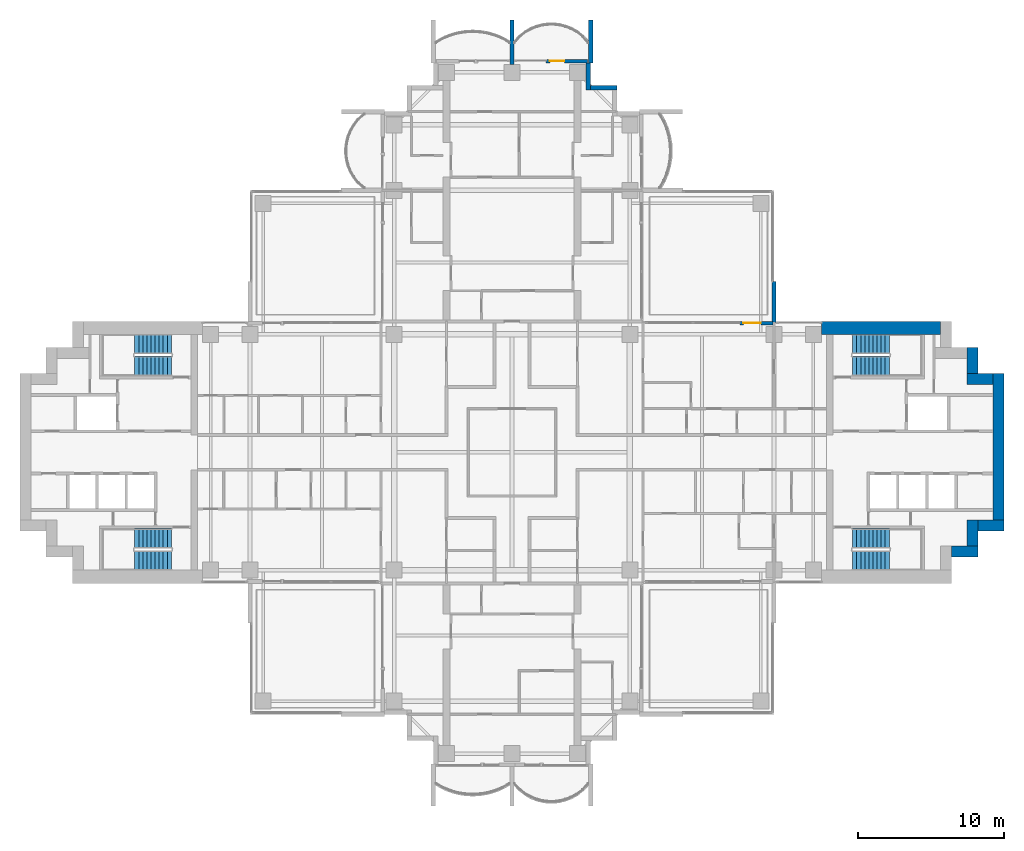
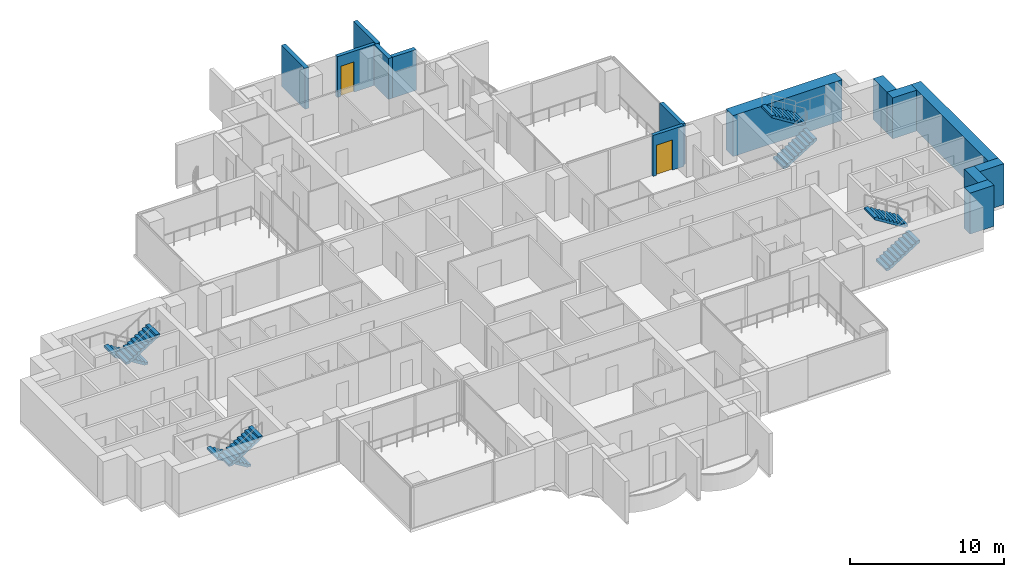
# One storey, part 15 of 19: 14 walls, 8 stair flights, 2 doors, 2 openings, 4 elements without a shape of their own.
"""IFC4 building model written with IfcOpenShell, lengths in metres."""

from ifc_helpers import new_model, si_unit, direction, frame, frame_2d, origin, place, context, subcontext, project, spatial, polyline, rectangle, outline, extrude, material, layer, layer_set, type_object, element, fill, aggregate, save


model = new_model("IFC4")

# Units and contexts
model_context = context("Model", 3, precision=1e-05, world=origin(), true_north=direction((0.0, 1.0)))
body_context = subcontext(model_context, "Body", "Model", "MODEL_VIEW")
ifc_project = project(units=[si_unit("LENGTHUNIT", "METRE"), si_unit("AREAUNIT", "SQUARE_METRE"), si_unit("VOLUMEUNIT", "CUBIC_METRE"), si_unit("PLANEANGLEUNIT", "RADIAN"), si_unit("MASSUNIT", "GRAM", prefix="KILO")], contexts=[model_context])

# Site, building, storey
site_placement = place(None, origin())
site = spatial("IfcSite", under=ifc_project, at=site_placement, CompositionType="ELEMENT")
building_placement = place(site_placement, origin())
building = spatial("IfcBuilding", under=site, at=building_placement, Name="Perihelion Cross Residences", CompositionType="ELEMENT")
storey_placement = place(building_placement, frame((0.0, 0.0, 144.39990234375)))
storey = spatial("IfcBuildingStorey", under=building, at=storey_placement, Name="L35", CompositionType="ELEMENT", Elevation=144.39990234375)

# Wall, opening, door
ifc_material_1 = material(Name="Concrete C30/37, bronze-clad", Category="concrete")
ifc_layer_1 = layer(ifc_material_1, 0.25)
ifc_layer_set_1 = layer_set([ifc_layer_1], Name="Bronze-clad pier wall 250")
wall_type_1 = type_object("IfcWallType", Name="Bronze-clad pier wall 250", PredefinedType="SOLIDWALL", material=ifc_layer_set_1)
wall_1_placement = place(storey_placement, frame((17.93994140625, 8.875, 0.0), z_axis=(0.0, 0.0, 1.0), x_axis=(-1.0, 0.0, 0.0)))
wall_1 = element("IfcWall", 1, at=wall_1_placement, inside=storey, type_object=wall_type_1, Name="Wall FW1 L35 east side north bay 2 pier", PredefinedType="SOLIDWALL", context=body_context, shape_type="SweptSolid", body=[
    extrude(rectangle(XDim=2.2900390625, YDim=0.25, at=frame_2d((1.14501953125, 0.0))), origin(), (0.0, 0.0, 1.0), 3.25),
])
opening_1_placement = place(wall_1_placement, frame((0.840087890625, 0.0, 0.0)))
opening_1 = element("IfcOpeningElement", 2, at=opening_1_placement, cuts=wall_1, Name="Opening L35.E01", PredefinedType="OPENING", context=body_context, shape_type="SweptSolid", body=[
    extrude(rectangle(XDim=1.199951171875, YDim=2.39990234375, at=frame_2d((0.60009765625, 1.199951171875))), frame((0.0, 0.135009765625, 0.0), z_axis=(0.0, -1.0, 0.0), x_axis=(1.0, 0.0, 0.0)), (0.0, 0.0, 1.0), 0.27001953125),
])
ifc_material_2 = material(Name="Bronze anodised aluminium, glazed", Category="aluminium")
door_type_1 = type_object("IfcDoorType", Name="Balcony door 1200 x 2400", OperationType="NOTDEFINED", PredefinedType="DOOR", material=ifc_material_2)
door_1_placement = place(opening_1_placement, origin())
door_1 = element("IfcDoor", 3, at=door_1_placement, inside=storey, type_object=door_type_1, Name="Door L35.E01 east side north bay 2", OperationType="SINGLE_SWING_RIGHT", OverallHeight=2.39990234375, OverallWidth=1.199951171875, PredefinedType="DOOR", context=body_context, shape_type="SweptSolid", body=[
    extrude(rectangle(XDim=1.199951171875, YDim=2.39990234375, at=frame_2d((0.60009765625, 1.199951171875))), frame((0.0, 0.02490234375, 0.0), z_axis=(0.0, -1.0, 0.0), x_axis=(1.0, 0.0, 0.0)), (0.0, 0.0, 1.0), 0.050048828125),
])
fill(opening_1, door_1)

wall_2_placement = place(storey_placement, frame((5.199951171875, 26.875, 0.0), z_axis=(0.0, 0.0, 1.0), x_axis=(-1.0, 0.0, 0.0)))
wall_2 = element("IfcWall", 4, at=wall_2_placement, inside=storey, type_object=wall_type_1, Name="Wall FW1 L35 north tip north bay 1 pier", PredefinedType="SOLIDWALL", context=body_context, shape_type="SweptSolid", body=[
    extrude(rectangle(XDim=2.849853515625, YDim=0.25, at=frame_2d((1.4248046875, 0.0))), origin(), (0.0, 0.0, 1.0), 3.25),
])
opening_2_placement = place(wall_2_placement, frame((1.60009765625, 0.0, 0.0)))
opening_2 = element("IfcOpeningElement", 5, at=opening_2_placement, cuts=wall_2, Name="Opening L35.E04", PredefinedType="OPENING", context=body_context, shape_type="SweptSolid", body=[
    extrude(rectangle(XDim=1.0, YDim=2.39990234375, at=frame_2d((0.5, 1.199951171875))), frame((0.0, 0.135009765625, 0.0), z_axis=(0.0, -1.0, 0.0), x_axis=(1.0, 0.0, 0.0)), (0.0, 0.0, 1.0), 0.27001953125),
])
ifc_material_3 = material(Name="Bronze anodised aluminium, glazed", Category="aluminium")
door_type_2 = type_object("IfcDoorType", Name="Balcony door 1000 x 2400", OperationType="NOTDEFINED", PredefinedType="DOOR", material=ifc_material_3)
door_2_placement = place(opening_2_placement, origin())
door_2 = element("IfcDoor", 6, at=door_2_placement, inside=storey, type_object=door_type_2, Name="Door L35.E04 north tip north bay 1", OperationType="SINGLE_SWING_LEFT", OverallHeight=2.39990234375, OverallWidth=1.0, PredefinedType="DOOR", context=body_context, shape_type="SweptSolid", body=[
    extrude(rectangle(XDim=1.0, YDim=2.39990234375, at=frame_2d((0.5, 1.199951171875))), frame((0.0, 0.02490234375, 0.0), z_axis=(0.0, -1.0, 0.0), x_axis=(1.0, 0.0, 0.0)), (0.0, 0.0, 1.0), 0.050048828125),
])
fill(opening_2, door_2)

# Walls
ifc_material_4 = material(Name="Concrete C30/37, bronze-clad", Category="concrete")
ifc_layer_2 = layer(ifc_material_4, 0.300048828125)
ifc_layer_set_2 = layer_set([ifc_layer_2], Name="Bronze-clad serration wall 300")
wall_type_2 = type_object("IfcWallType", Name="Bronze-clad serration wall 300", PredefinedType="SOLIDWALL", material=ifc_layer_set_2)
wall_3_placement = place(storey_placement, frame((7.199951171875, 25.050048828125, 0.0), z_axis=(0.0, 0.0, 1.0), x_axis=(-1.0, 0.0, 0.0)))
element("IfcWall", 7, at=wall_3_placement, inside=storey, type_object=wall_type_2, Name="Wall SR1 L35 north corner north-east 3", PredefinedType="SOLIDWALL", context=body_context, shape_type="SweptSolid", body=[
    extrude(rectangle(XDim=1.800048828125, YDim=0.300048828125, at=frame_2d((0.89990234375, 0.0))), origin(), (0.0, 0.0, 1.0), 3.25),
])
wall_4_placement = place(storey_placement, frame((5.25, 24.89990234375, 0.0), z_axis=(0.0, 0.0, 1.0), x_axis=(0.0, 1.0, 0.0)))
element("IfcWall", 8, at=wall_4_placement, inside=storey, type_object=wall_type_2, Name="Wall SR1 L35 north corner north-east 4", PredefinedType="SOLIDWALL", context=body_context, shape_type="SweptSolid", body=[
    extrude(rectangle(XDim=1.85009765625, YDim=0.300048828125, at=frame_2d((0.925048828125, 0.0))), origin(), (0.0, 0.0, 1.0), 3.25),
])
ifc_material_5 = material(Name="Concrete C60/75", Category="concrete")
ifc_layer_3 = layer(ifc_material_5, 0.75)
ifc_layer_set_3 = layer_set([ifc_layer_3], Name="Core wall, outer 750")
wall_type_3 = type_object("IfcWallType", Name="Core wall, outer 750", PredefinedType="SHEAR", material=ifc_layer_set_3)
for number, where, z_axis, x_axis, name in (
    (9, (30.199951171875, -6.824951171875, 0.0), (0.0, 0.0, 1.0), (1.0, 0.0, 0.0), "East core core wall, outer"),
    (10, (31.625, -6.449951171875, 0.0), (0.0, 0.0, 1.0), (0.0, 1.0, 0.0), "East core core wall, outer"),
    (11, (32.0, -5.02490234375, 0.0), (0.0, 0.0, 1.0), (1.0, 0.0, 0.0), "East core core wall, outer"),
):
    element("IfcWall", number, at=place(storey_placement, frame(where, z_axis=z_axis, x_axis=x_axis)), inside=storey, type_object=wall_type_3, Name=name, PredefinedType="SHEAR", context=body_context, shape_type="SweptSolid", body=[
        extrude(rectangle(XDim=1.800048828125, YDim=0.75, at=frame_2d((0.89990234375, 0.0))), origin(), (0.0, 0.0, 1.0), 3.25),
    ])
wall_5_placement = place(storey_placement, frame((33.425048828125, -4.64990234375, 0.0), z_axis=(0.0, 0.0, 1.0), x_axis=(0.0, 1.0, 0.0)))
element("IfcWall", 12, at=wall_5_placement, inside=storey, type_object=wall_type_3, Name="East core core wall, outer", PredefinedType="SHEAR", context=body_context, shape_type="SweptSolid", body=[
    extrude(rectangle(XDim=10.0498046875, YDim=0.75, at=frame_2d((5.02490234375, 0.0))), origin(), (0.0, 0.0, 1.0), 3.25),
])
for number, where, z_axis, x_axis, name in (
    (13, (31.25, 5.02490234375, 0.0), (0.0, 0.0, 1.0), (1.0, 0.0, 0.0), "East core core wall, outer"),
    (14, (31.625, 5.39990234375, 0.0), (0.0, 0.0, 1.0), (0.0, 1.0, 0.0), "East core core wall, outer"),
):
    element("IfcWall", number, at=place(storey_placement, frame(where, z_axis=z_axis, x_axis=x_axis)), inside=storey, type_object=wall_type_3, Name=name, PredefinedType="SHEAR", context=body_context, shape_type="SweptSolid", body=[
        extrude(rectangle(XDim=1.800048828125, YDim=0.75, at=frame_2d((0.89990234375, 0.0))), origin(), (0.0, 0.0, 1.0), 3.25),
    ])
ifc_material_6 = material(Name="Concrete C60/75", Category="concrete")
ifc_layer_4 = layer(ifc_material_6, 0.89990234375)
ifc_layer_set_4 = layer_set([ifc_layer_4], Name="Core wall, outer 900")
wall_type_4 = type_object("IfcWallType", Name="Core wall, outer 900", PredefinedType="SHEAR", material=ifc_layer_set_4)
wall_6_placement = place(storey_placement, frame((21.25, 8.550048828125, 0.0), z_axis=(0.0, 0.0, 1.0), x_axis=(1.0, 0.0, 0.0)))
element("IfcWall", 15, at=wall_6_placement, inside=storey, type_object=wall_type_4, Name="East core core wall, outer", PredefinedType="SHEAR", context=body_context, shape_type="SweptSolid", body=[
    extrude(rectangle(XDim=8.199951171875, YDim=0.89990234375, at=frame_2d((4.10009765625, 0.0))), origin(), (0.0, 0.0, 1.0), 3.25),
])
ifc_material_7 = material(Name="Precast concrete C50/60", Category="concrete")
ifc_layer_5 = layer(ifc_material_7, 0.300048828125)
ifc_layer_set_5 = layer_set([ifc_layer_5], Name="Precast concrete C50/60 blade wall 300")
wall_type_5 = type_object("IfcWallType", Name="Precast concrete C50/60 blade wall 300", PredefinedType="SOLIDWALL", material=ifc_layer_set_5)
wall_7_placement = place(storey_placement, frame((0.0, 26.64990234375, 0.0), z_axis=(0.0, 0.0, 1.0), x_axis=(0.0, 1.0, 0.0)))
element("IfcWall", 16, at=wall_7_placement, inside=storey, type_object=wall_type_5, Name="Wall BL1 L35 no. 9", PredefinedType="SOLIDWALL", context=body_context, shape_type="SweptSolid", body=[
    extrude(rectangle(XDim=3.050048828125, YDim=0.300048828125, at=frame_2d((1.52490234375, 0.0))), origin(), (0.0, 0.0, 1.0), 3.25),
])
wall_8_placement = place(storey_placement, frame((5.39990234375, 26.75, 0.0), z_axis=(0.0, 0.0, 1.0), x_axis=(0.0, 1.0, 0.0)))
element("IfcWall", 17, at=wall_8_placement, inside=storey, type_object=wall_type_5, Name="Wall BL1 L35 no. 13", PredefinedType="SOLIDWALL", context=body_context, shape_type="SweptSolid", body=[
    extrude(rectangle(XDim=2.949951171875, YDim=0.300048828125, at=frame_2d((1.47509765625, 0.0))), origin(), (0.0, 0.0, 1.0), 3.25),
])
wall_9_placement = place(storey_placement, frame((18.0, 8.919921875, 0.0), z_axis=(0.0, 0.0, 1.0), x_axis=(0.0, 1.0, 0.0)))
element("IfcWall", 18, at=wall_9_placement, inside=storey, type_object=wall_type_5, Name="Wall BL1 L35 no. 11", PredefinedType="SOLIDWALL", context=body_context, shape_type="SweptSolid", body=[
    extrude(rectangle(XDim=2.820068359375, YDim=0.300048828125, at=frame_2d((1.41015625, 0.0))), origin(), (0.0, 0.0, 1.0), 3.25),
])

# Stair, stair flights
ifc_material_8 = material(Name="Concrete C40/50", Category="concrete")
stair_type = type_object("IfcStairType", Name="Exit stair, half-turn", PredefinedType="HALF_TURN_STAIR", material=ifc_material_8)
stair_1_placement = place(storey_placement, origin())
stair_1 = element("IfcStair", 19, at=stair_1_placement, inside=storey, type_object=stair_type, Name="L35 East core exit stair 1", PredefinedType="HALF_TURN_STAIR")
ifc_material_9 = material(Name="Concrete C40/50", Category="concrete")
stair_flight_type = type_object("IfcStairFlightType", Name="Exit stair flight", PredefinedType="STRAIGHT", material=ifc_material_9)
stair_flight_1_placement = place(storey_placement, frame((23.39990234375, 5.925048828125, 0.0), z_axis=(0.0, 0.0, 1.0), x_axis=(1.0, 0.0, 0.0)))
stair_flight_1 = element("IfcStairFlight", 20, at=stair_flight_1_placement, type_object=stair_flight_type, Name="ST-E1 flight 1", NumberOfRisers=10, NumberOfTreads=9, PredefinedType="STRAIGHT", RiserHeight=0.175, TreadLength=0.28, context=body_context, shape_type="SweptSolid", body=[
    extrude(outline(polyline([(0.0, 0.0), (0.0, 0.175048828125), (0.280029296875, 0.175048828125), (0.280029296875, 0.35009765625), (0.56005859375, 0.35009765625), (0.56005859375, 0.52490234375), (0.840087890625, 0.52490234375), (0.840087890625, 0.699951171875), (1.1201171875, 0.699951171875), (1.1201171875, 0.875), (1.39990234375, 0.875), (1.39990234375, 1.050048828125), (1.679931640625, 1.050048828125), (1.679931640625, 1.22509765625), (1.9599609375, 1.22509765625), (1.9599609375, 1.39990234375), (2.239990234375, 1.39990234375), (2.239990234375, 1.574951171875), (2.52001953125, 1.574951171875), (2.52001953125, 1.75), (2.52001953125, 1.398193359375), (0.28271484375, 0.0), (0.0, 0.0)])), frame((0.0, 0.675048828125, 0.0), z_axis=(0.0, -1.0, 0.0), x_axis=(1.0, 0.0, 0.0)), (0.0, 0.0, 1.0), 1.35009765625),
])
stair_flight_2_placement = place(storey_placement, frame((25.919921875, 7.425048828125, 1.75), z_axis=(0.0, 0.0, 1.0), x_axis=(-1.0, 0.0, 0.0)))
stair_flight_2 = element("IfcStairFlight", 21, at=stair_flight_2_placement, type_object=stair_flight_type, Name="ST-E1 flight 2", NumberOfRisers=10, NumberOfTreads=9, PredefinedType="STRAIGHT", RiserHeight=0.175, TreadLength=0.28, context=body_context, shape_type="SweptSolid", body=[
    extrude(outline(polyline([(0.0, 0.0), (0.0, 0.175048828125), (0.280029296875, 0.175048828125), (0.280029296875, 0.35009765625), (0.56005859375, 0.35009765625), (0.56005859375, 0.52490234375), (0.840087890625, 0.52490234375), (0.840087890625, 0.699951171875), (1.1201171875, 0.699951171875), (1.1201171875, 0.875), (1.39990234375, 0.875), (1.39990234375, 1.050048828125), (1.679931640625, 1.050048828125), (1.679931640625, 1.22509765625), (1.9599609375, 1.22509765625), (1.9599609375, 1.39990234375), (2.239990234375, 1.39990234375), (2.239990234375, 1.574951171875), (2.52001953125, 1.574951171875), (2.52001953125, 1.75), (2.52001953125, 1.398193359375), (0.28271484375, 0.0), (0.0, 0.0)])), frame((0.0, 0.675048828125, 0.0), z_axis=(0.0, -1.0, 0.0), x_axis=(1.0, 0.0, 0.0)), (0.0, 0.0, 1.0), 1.35009765625),
])
aggregate(stair_1, [stair_flight_1, stair_flight_2])

stair_2_placement = place(storey_placement, origin())
stair_2 = element("IfcStair", 22, at=stair_2_placement, inside=storey, type_object=stair_type, Name="L35 East core exit stair 2", PredefinedType="HALF_TURN_STAIR")
stair_flight_3_placement = place(storey_placement, frame((23.39990234375, -7.425048828125, 0.0), z_axis=(0.0, 0.0, 1.0), x_axis=(1.0, 0.0, 0.0)))
stair_flight_3 = element("IfcStairFlight", 23, at=stair_flight_3_placement, type_object=stair_flight_type, Name="ST-E2 flight 1", NumberOfRisers=10, NumberOfTreads=9, PredefinedType="STRAIGHT", RiserHeight=0.175, TreadLength=0.28, context=body_context, shape_type="SweptSolid", body=[
    extrude(outline(polyline([(0.0, 0.0), (0.0, 0.175048828125), (0.280029296875, 0.175048828125), (0.280029296875, 0.35009765625), (0.56005859375, 0.35009765625), (0.56005859375, 0.52490234375), (0.840087890625, 0.52490234375), (0.840087890625, 0.699951171875), (1.1201171875, 0.699951171875), (1.1201171875, 0.875), (1.39990234375, 0.875), (1.39990234375, 1.050048828125), (1.679931640625, 1.050048828125), (1.679931640625, 1.22509765625), (1.9599609375, 1.22509765625), (1.9599609375, 1.39990234375), (2.239990234375, 1.39990234375), (2.239990234375, 1.574951171875), (2.52001953125, 1.574951171875), (2.52001953125, 1.75), (2.52001953125, 1.398193359375), (0.28271484375, 0.0), (0.0, 0.0)])), frame((0.0, 0.675048828125, 0.0), z_axis=(0.0, -1.0, 0.0), x_axis=(1.0, 0.0, 0.0)), (0.0, 0.0, 1.0), 1.35009765625),
])
stair_flight_4_placement = place(storey_placement, frame((25.919921875, -5.925048828125, 1.75), z_axis=(0.0, 0.0, 1.0), x_axis=(-1.0, 0.0, 0.0)))
stair_flight_4 = element("IfcStairFlight", 24, at=stair_flight_4_placement, type_object=stair_flight_type, Name="ST-E2 flight 2", NumberOfRisers=10, NumberOfTreads=9, PredefinedType="STRAIGHT", RiserHeight=0.175, TreadLength=0.28, context=body_context, shape_type="SweptSolid", body=[
    extrude(outline(polyline([(0.0, 0.0), (0.0, 0.175048828125), (0.280029296875, 0.175048828125), (0.280029296875, 0.35009765625), (0.56005859375, 0.35009765625), (0.56005859375, 0.52490234375), (0.840087890625, 0.52490234375), (0.840087890625, 0.699951171875), (1.1201171875, 0.699951171875), (1.1201171875, 0.875), (1.39990234375, 0.875), (1.39990234375, 1.050048828125), (1.679931640625, 1.050048828125), (1.679931640625, 1.22509765625), (1.9599609375, 1.22509765625), (1.9599609375, 1.39990234375), (2.239990234375, 1.39990234375), (2.239990234375, 1.574951171875), (2.52001953125, 1.574951171875), (2.52001953125, 1.75), (2.52001953125, 1.398193359375), (0.28271484375, 0.0), (0.0, 0.0)])), frame((0.0, 0.675048828125, 0.0), z_axis=(0.0, -1.0, 0.0), x_axis=(1.0, 0.0, 0.0)), (0.0, 0.0, 1.0), 1.35009765625),
])
aggregate(stair_2, [stair_flight_3, stair_flight_4])

stair_3_placement = place(storey_placement, origin())
stair_3 = element("IfcStair", 25, at=stair_3_placement, inside=storey, type_object=stair_type, Name="L35 West core exit stair 1", PredefinedType="HALF_TURN_STAIR")
stair_flight_5_placement = place(storey_placement, frame((-23.39990234375, 7.425048828125, 0.0), z_axis=(0.0, 0.0, 1.0), x_axis=(-1.0, 0.0, 0.0)))
stair_flight_5 = element("IfcStairFlight", 26, at=stair_flight_5_placement, type_object=stair_flight_type, Name="ST-W1 flight 1", NumberOfRisers=10, NumberOfTreads=9, PredefinedType="STRAIGHT", RiserHeight=0.175, TreadLength=0.28, context=body_context, shape_type="SweptSolid", body=[
    extrude(outline(polyline([(0.0, 0.0), (0.0, 0.175048828125), (0.280029296875, 0.175048828125), (0.280029296875, 0.35009765625), (0.56005859375, 0.35009765625), (0.56005859375, 0.52490234375), (0.840087890625, 0.52490234375), (0.840087890625, 0.699951171875), (1.1201171875, 0.699951171875), (1.1201171875, 0.875), (1.39990234375, 0.875), (1.39990234375, 1.050048828125), (1.679931640625, 1.050048828125), (1.679931640625, 1.22509765625), (1.9599609375, 1.22509765625), (1.9599609375, 1.39990234375), (2.239990234375, 1.39990234375), (2.239990234375, 1.574951171875), (2.52001953125, 1.574951171875), (2.52001953125, 1.75), (2.52001953125, 1.398193359375), (0.28271484375, 0.0), (0.0, 0.0)])), frame((0.0, 0.675048828125, 0.0), z_axis=(0.0, -1.0, 0.0), x_axis=(1.0, 0.0, 0.0)), (0.0, 0.0, 1.0), 1.35009765625),
])
stair_flight_6_placement = place(storey_placement, frame((-25.919921875, 5.925048828125, 1.75), z_axis=(0.0, 0.0, 1.0), x_axis=(1.0, 0.0, 0.0)))
stair_flight_6 = element("IfcStairFlight", 27, at=stair_flight_6_placement, type_object=stair_flight_type, Name="ST-W1 flight 2", NumberOfRisers=10, NumberOfTreads=9, PredefinedType="STRAIGHT", RiserHeight=0.175, TreadLength=0.28, context=body_context, shape_type="SweptSolid", body=[
    extrude(outline(polyline([(0.0, 0.0), (0.0, 0.175048828125), (0.280029296875, 0.175048828125), (0.280029296875, 0.35009765625), (0.56005859375, 0.35009765625), (0.56005859375, 0.52490234375), (0.840087890625, 0.52490234375), (0.840087890625, 0.699951171875), (1.1201171875, 0.699951171875), (1.1201171875, 0.875), (1.39990234375, 0.875), (1.39990234375, 1.050048828125), (1.679931640625, 1.050048828125), (1.679931640625, 1.22509765625), (1.9599609375, 1.22509765625), (1.9599609375, 1.39990234375), (2.239990234375, 1.39990234375), (2.239990234375, 1.574951171875), (2.52001953125, 1.574951171875), (2.52001953125, 1.75), (2.52001953125, 1.398193359375), (0.28271484375, 0.0), (0.0, 0.0)])), frame((0.0, 0.675048828125, 0.0), z_axis=(0.0, -1.0, 0.0), x_axis=(1.0, 0.0, 0.0)), (0.0, 0.0, 1.0), 1.35009765625),
])
aggregate(stair_3, [stair_flight_5, stair_flight_6])

stair_4_placement = place(storey_placement, origin())
stair_4 = element("IfcStair", 28, at=stair_4_placement, inside=storey, type_object=stair_type, Name="L35 West core exit stair 2", PredefinedType="HALF_TURN_STAIR")
stair_flight_7_placement = place(storey_placement, frame((-23.39990234375, -5.925048828125, 0.0), z_axis=(0.0, 0.0, 1.0), x_axis=(-1.0, 0.0, 0.0)))
stair_flight_7 = element("IfcStairFlight", 29, at=stair_flight_7_placement, type_object=stair_flight_type, Name="ST-W2 flight 1", NumberOfRisers=10, NumberOfTreads=9, PredefinedType="STRAIGHT", RiserHeight=0.175, TreadLength=0.28, context=body_context, shape_type="SweptSolid", body=[
    extrude(outline(polyline([(0.0, 0.0), (0.0, 0.175048828125), (0.280029296875, 0.175048828125), (0.280029296875, 0.35009765625), (0.56005859375, 0.35009765625), (0.56005859375, 0.52490234375), (0.840087890625, 0.52490234375), (0.840087890625, 0.699951171875), (1.1201171875, 0.699951171875), (1.1201171875, 0.875), (1.39990234375, 0.875), (1.39990234375, 1.050048828125), (1.679931640625, 1.050048828125), (1.679931640625, 1.22509765625), (1.9599609375, 1.22509765625), (1.9599609375, 1.39990234375), (2.239990234375, 1.39990234375), (2.239990234375, 1.574951171875), (2.52001953125, 1.574951171875), (2.52001953125, 1.75), (2.52001953125, 1.398193359375), (0.28271484375, 0.0), (0.0, 0.0)])), frame((0.0, 0.675048828125, 0.0), z_axis=(0.0, -1.0, 0.0), x_axis=(1.0, 0.0, 0.0)), (0.0, 0.0, 1.0), 1.35009765625),
])
stair_flight_8_placement = place(storey_placement, frame((-25.919921875, -7.425048828125, 1.75), z_axis=(0.0, 0.0, 1.0), x_axis=(1.0, 0.0, 0.0)))
stair_flight_8 = element("IfcStairFlight", 30, at=stair_flight_8_placement, type_object=stair_flight_type, Name="ST-W2 flight 2", NumberOfRisers=10, NumberOfTreads=9, PredefinedType="STRAIGHT", RiserHeight=0.175, TreadLength=0.28, context=body_context, shape_type="SweptSolid", body=[
    extrude(outline(polyline([(0.0, 0.0), (0.0, 0.175048828125), (0.280029296875, 0.175048828125), (0.280029296875, 0.35009765625), (0.56005859375, 0.35009765625), (0.56005859375, 0.52490234375), (0.840087890625, 0.52490234375), (0.840087890625, 0.699951171875), (1.1201171875, 0.699951171875), (1.1201171875, 0.875), (1.39990234375, 0.875), (1.39990234375, 1.050048828125), (1.679931640625, 1.050048828125), (1.679931640625, 1.22509765625), (1.9599609375, 1.22509765625), (1.9599609375, 1.39990234375), (2.239990234375, 1.39990234375), (2.239990234375, 1.574951171875), (2.52001953125, 1.574951171875), (2.52001953125, 1.75), (2.52001953125, 1.398193359375), (0.28271484375, 0.0), (0.0, 0.0)])), frame((0.0, 0.675048828125, 0.0), z_axis=(0.0, -1.0, 0.0), x_axis=(1.0, 0.0, 0.0)), (0.0, 0.0, 1.0), 1.35009765625),
])
aggregate(stair_4, [stair_flight_7, stair_flight_8])

save(model, "model.ifc")
